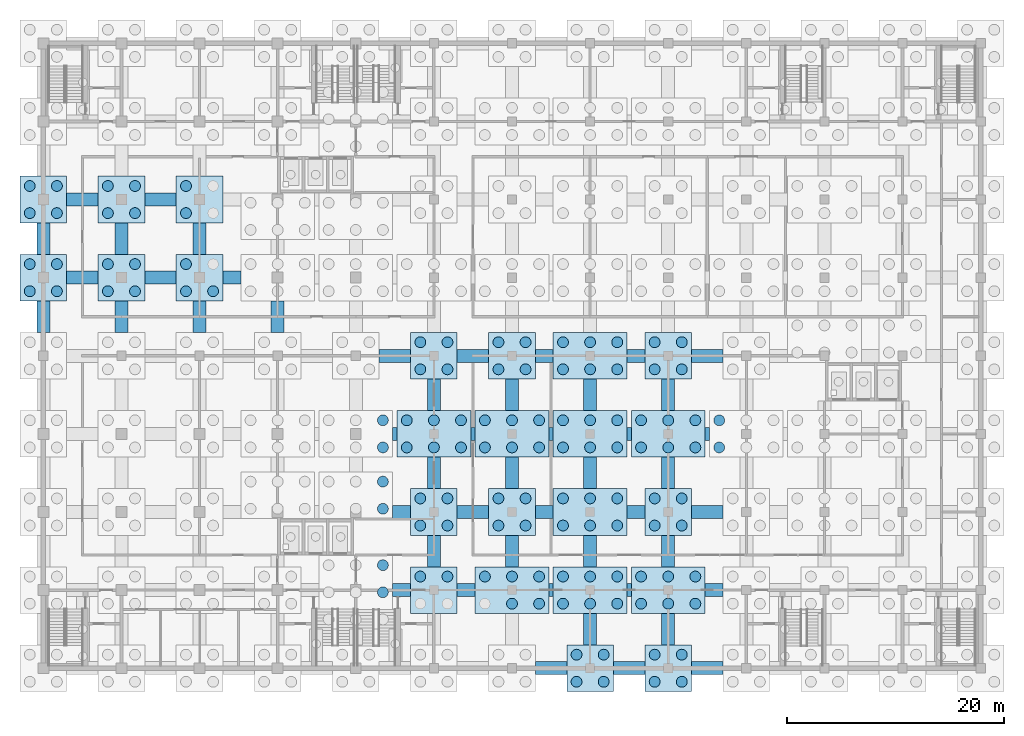
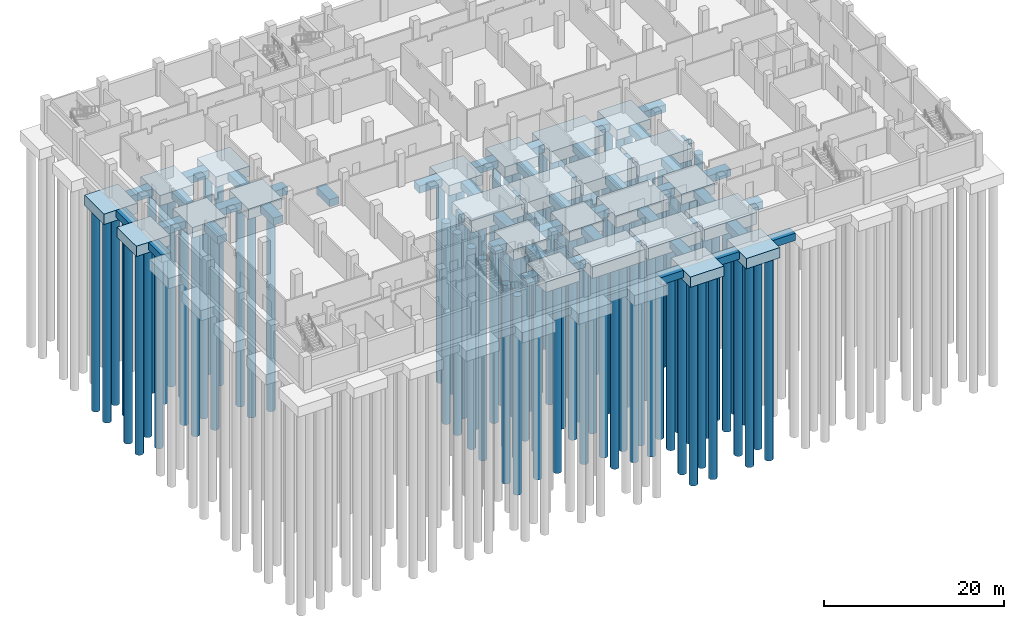
# One storey, part 2 of 19: 116 piles, 73 footings.
"""IFC4 building model written with IfcOpenShell, lengths in metres."""

from ifc_helpers import new_model, si_unit, direction, frame, origin, origin_2d, place, context, subcontext, project, spatial, rectangle, circle, extrude, material, material_profile, profile_set, type_object, element, save


model = new_model("IFC4")

# Units and contexts
model_context = context("Model", 3, precision=1e-05, world=origin(), true_north=direction((0.0, 1.0)))
body_context = subcontext(model_context, "Body", "Model", "MODEL_VIEW")
ifc_project = project(units=[si_unit("LENGTHUNIT", "METRE"), si_unit("AREAUNIT", "SQUARE_METRE"), si_unit("VOLUMEUNIT", "CUBIC_METRE"), si_unit("PLANEANGLEUNIT", "RADIAN"), si_unit("MASSUNIT", "GRAM", prefix="KILO")], contexts=[model_context])

# Site, building, storey
site_placement = place(None, origin())
site = spatial("IfcSite", under=ifc_project, at=site_placement, CompositionType="ELEMENT")
building_placement = place(site_placement, origin())
building = spatial("IfcBuilding", under=site, at=building_placement, Name="Silangan Lancet Faculty of Sciences", CompositionType="ELEMENT")
storey_placement = place(building_placement, frame((0.0, 0.0, -4.5)))
storey = spatial("IfcBuildingStorey", under=building, at=storey_placement, Name="B1", CompositionType="ELEMENT", Elevation=-4.5)

# Piles
ifc_material_1 = material(Name="Concrete C30/37", Category="concrete")
ifc_material_profile = material_profile(ifc_material_1, circle(Radius=0.5, at=origin_2d()), Name="BORED PILE D1000")
ifc_profile_set = profile_set([ifc_material_profile], Name="Concrete C30/37")
pile_type = type_object("IfcPileType", Name="PILE BORED D1000", PredefinedType="BORED", material=ifc_profile_set)
for number, where, z_axis, x_axis, name in (
    (1, (-1.25, 34.75, -2.0), (0.0, 0.0, -1.0), (1.0, 0.0, 0.0), "PILE-1F-1"),
    (2, (1.25, 34.75, -2.0), (0.0, 0.0, -1.0), (1.0, 0.0, 0.0), "PILE-1F-2"),
    (3, (-1.25, 37.25, -2.0), (0.0, 0.0, -1.0), (1.0, 0.0, 0.0), "PILE-1F-3"),
    (4, (1.25, 37.25, -2.0), (0.0, 0.0, -1.0), (1.0, 0.0, 0.0), "PILE-1F-4"),
    (5, (-1.25, 41.949951171875, -2.0), (0.0, 0.0, -1.0), (1.0, 0.0, 0.0), "PILE-1G-1"),
    (6, (1.25, 41.949951171875, -2.0), (0.0, 0.0, -1.0), (1.0, 0.0, 0.0), "PILE-1G-2"),
    (7, (-1.25, 44.449951171875, -2.0), (0.0, 0.0, -1.0), (1.0, 0.0, 0.0), "PILE-1G-3"),
    (8, (1.25, 44.449951171875, -2.0), (0.0, 0.0, -1.0), (1.0, 0.0, 0.0), "PILE-1G-4"),
    (9, (5.949951171875, 34.75, -2.0), (0.0, 0.0, -1.0), (1.0, 0.0, 0.0), "PILE-2F-1"),
    (10, (8.449951171875, 34.75, -2.0), (0.0, 0.0, -1.0), (1.0, 0.0, 0.0), "PILE-2F-2"),
    (11, (5.949951171875, 37.25, -2.0), (0.0, 0.0, -1.0), (1.0, 0.0, 0.0), "PILE-2F-3"),
    (12, (8.449951171875, 37.25, -2.0), (0.0, 0.0, -1.0), (1.0, 0.0, 0.0), "PILE-2F-4"),
    (13, (5.949951171875, 41.949951171875, -2.0), (0.0, 0.0, -1.0), (1.0, 0.0, 0.0), "PILE-2G-1"),
    (14, (8.449951171875, 41.949951171875, -2.0), (0.0, 0.0, -1.0), (1.0, 0.0, 0.0), "PILE-2G-2"),
    (15, (5.949951171875, 44.449951171875, -2.0), (0.0, 0.0, -1.0), (1.0, 0.0, 0.0), "PILE-2G-3"),
    (16, (8.449951171875, 44.449951171875, -2.0), (0.0, 0.0, -1.0), (1.0, 0.0, 0.0), "PILE-2G-4"),
    (17, (13.14990234375, 34.75, -2.0), (0.0, 0.0, -1.0), (1.0, 0.0, 0.0), "PILE-3F-1"),
    (18, (15.64990234375, 34.75, -2.0), (0.0, 0.0, -1.0), (1.0, 0.0, 0.0), "PILE-3F-2"),
    (19, (13.14990234375, 37.25, -2.0), (0.0, 0.0, -1.0), (1.0, 0.0, 0.0), "PILE-3F-3"),
    (20, (13.14990234375, 41.949951171875, -2.0), (0.0, 0.0, -1.0), (1.0, 0.0, 0.0), "PILE-3G-1"),
    (21, (13.14990234375, 44.449951171875, -2.0), (0.0, 0.0, -1.0), (1.0, 0.0, 0.0), "PILE-3G-3"),
):
    element("IfcPile", number, at=place(storey_placement, frame(where, z_axis=z_axis, x_axis=x_axis)), inside=storey, type_object=pile_type, Name=name, PredefinedType="BORED", context=body_context, shape_type="SweptSolid", body=[
        extrude(circle(Radius=0.5, at=origin_2d()), origin(), (0.0, 0.0, 1.0), 27.5),
    ])
for number, where, z_axis, x_axis, name in (
    (22, (31.300048828125, 7.0, -2.5), (0.0, 0.0, -1.0), (1.0, 0.0, 0.0), "PILE-5B-6"),
    (23, (31.300048828125, 9.5, -2.5), (0.0, 0.0, -1.0), (1.0, 0.0, 0.0), "PILE-5B-9"),
):
    element("IfcPile", number, at=place(storey_placement, frame(where, z_axis=z_axis, x_axis=x_axis)), inside=storey, type_object=pile_type, Name=name, PredefinedType="BORED", context=body_context, shape_type="SweptSolid", body=[
        extrude(circle(Radius=0.5, at=origin_2d()), origin(), (0.0, 0.0, 1.0), 27.0),
    ])
for number, where, z_axis, x_axis, name in (
    (24, (31.300048828125, 14.699951171875, -2.199951171875), (0.0, 0.0, -1.0), (1.0, 0.0, 0.0), "PILE-5C-3"),
    (25, (31.300048828125, 17.199951171875, -2.199951171875), (0.0, 0.0, -1.0), (1.0, 0.0, 0.0), "PILE-5C-6"),
    (26, (31.300048828125, 20.35009765625, -2.199951171875), (0.0, 0.0, -1.0), (1.0, 0.0, 0.0), "PILE-5D-3"),
    (27, (31.300048828125, 22.85009765625, -2.199951171875), (0.0, 0.0, -1.0), (1.0, 0.0, 0.0), "PILE-5D-6"),
):
    element("IfcPile", number, at=place(storey_placement, frame(where, z_axis=z_axis, x_axis=x_axis)), inside=storey, type_object=pile_type, Name=name, PredefinedType="BORED", context=body_context, shape_type="SweptSolid", body=[
        extrude(circle(Radius=0.5, at=origin_2d()), origin(), (0.0, 0.0, 1.0), 27.300048828125),
    ])
for number, where, z_axis, x_axis, name in (
    (28, (34.75, 8.449951171875, -2.0), (0.0, 0.0, -1.0), (1.0, 0.0, 0.0), "PILE-6B-3"),
    (29, (37.25, 8.449951171875, -2.0), (0.0, 0.0, -1.0), (1.0, 0.0, 0.0), "PILE-6B-4"),
    (30, (34.75, 13.14990234375, -2.0), (0.0, 0.0, -1.0), (1.0, 0.0, 0.0), "PILE-6C-1"),
    (31, (37.25, 13.14990234375, -2.0), (0.0, 0.0, -1.0), (1.0, 0.0, 0.0), "PILE-6C-2"),
    (32, (34.75, 15.64990234375, -2.0), (0.0, 0.0, -1.0), (1.0, 0.0, 0.0), "PILE-6C-3"),
    (33, (37.25, 15.64990234375, -2.0), (0.0, 0.0, -1.0), (1.0, 0.0, 0.0), "PILE-6C-4"),
):
    element("IfcPile", number, at=place(storey_placement, frame(where, z_axis=z_axis, x_axis=x_axis)), inside=storey, type_object=pile_type, Name=name, PredefinedType="BORED", context=body_context, shape_type="SweptSolid", body=[
        extrude(circle(Radius=0.5, at=origin_2d()), origin(), (0.0, 0.0, 1.0), 27.5),
    ])
for number, where, z_axis, x_axis, name in (
    (34, (33.5, 20.35009765625, -2.199951171875), (0.0, 0.0, -1.0), (1.0, 0.0, 0.0), "PILE-6D-1"),
    (35, (36.0, 20.35009765625, -2.199951171875), (0.0, 0.0, -1.0), (1.0, 0.0, 0.0), "PILE-6D-2"),
    (36, (38.5, 20.35009765625, -2.199951171875), (0.0, 0.0, -1.0), (1.0, 0.0, 0.0), "PILE-6D-3"),
    (37, (33.5, 22.85009765625, -2.199951171875), (0.0, 0.0, -1.0), (1.0, 0.0, 0.0), "PILE-6D-4"),
    (38, (36.0, 22.85009765625, -2.199951171875), (0.0, 0.0, -1.0), (1.0, 0.0, 0.0), "PILE-6D-5"),
    (39, (38.5, 22.85009765625, -2.199951171875), (0.0, 0.0, -1.0), (1.0, 0.0, 0.0), "PILE-6D-6"),
):
    element("IfcPile", number, at=place(storey_placement, frame(where, z_axis=z_axis, x_axis=x_axis)), inside=storey, type_object=pile_type, Name=name, PredefinedType="BORED", context=body_context, shape_type="SweptSolid", body=[
        extrude(circle(Radius=0.5, at=origin_2d()), origin(), (0.0, 0.0, 1.0), 27.300048828125),
    ])
for number, where, z_axis, x_axis, name in (
    (40, (34.75, 27.550048828125, -2.0), (0.0, 0.0, -1.0), (1.0, 0.0, 0.0), "PILE-6E-1"),
    (41, (37.25, 27.550048828125, -2.0), (0.0, 0.0, -1.0), (1.0, 0.0, 0.0), "PILE-6E-2"),
    (42, (34.75, 30.050048828125, -2.0), (0.0, 0.0, -1.0), (1.0, 0.0, 0.0), "PILE-6E-3"),
    (43, (37.25, 30.050048828125, -2.0), (0.0, 0.0, -1.0), (1.0, 0.0, 0.0), "PILE-6E-4"),
):
    element("IfcPile", number, at=place(storey_placement, frame(where, z_axis=z_axis, x_axis=x_axis)), inside=storey, type_object=pile_type, Name=name, PredefinedType="BORED", context=body_context, shape_type="SweptSolid", body=[
        extrude(circle(Radius=0.5, at=origin_2d()), origin(), (0.0, 0.0, 1.0), 27.5),
    ])
for number, where, z_axis, x_axis, name in (
    (44, (43.199951171875, 5.949951171875, -2.199951171875), (0.0, 0.0, -1.0), (1.0, 0.0, 0.0), "PILE-7B-2"),
    (45, (45.699951171875, 5.949951171875, -2.199951171875), (0.0, 0.0, -1.0), (1.0, 0.0, 0.0), "PILE-7B-3"),
    (46, (40.699951171875, 8.449951171875, -2.199951171875), (0.0, 0.0, -1.0), (1.0, 0.0, 0.0), "PILE-7B-4"),
    (47, (43.199951171875, 8.449951171875, -2.199951171875), (0.0, 0.0, -1.0), (1.0, 0.0, 0.0), "PILE-7B-5"),
    (48, (45.699951171875, 8.449951171875, -2.199951171875), (0.0, 0.0, -1.0), (1.0, 0.0, 0.0), "PILE-7B-6"),
):
    element("IfcPile", number, at=place(storey_placement, frame(where, z_axis=z_axis, x_axis=x_axis)), inside=storey, type_object=pile_type, Name=name, PredefinedType="BORED", context=body_context, shape_type="SweptSolid", body=[
        extrude(circle(Radius=0.5, at=origin_2d()), origin(), (0.0, 0.0, 1.0), 27.300048828125),
    ])
for number, where, z_axis, x_axis, name in (
    (49, (41.949951171875, 13.14990234375, -2.0), (0.0, 0.0, -1.0), (1.0, 0.0, 0.0), "PILE-7C-1"),
    (50, (44.449951171875, 13.14990234375, -2.0), (0.0, 0.0, -1.0), (1.0, 0.0, 0.0), "PILE-7C-2"),
    (51, (41.949951171875, 15.64990234375, -2.0), (0.0, 0.0, -1.0), (1.0, 0.0, 0.0), "PILE-7C-3"),
    (52, (44.449951171875, 15.64990234375, -2.0), (0.0, 0.0, -1.0), (1.0, 0.0, 0.0), "PILE-7C-4"),
):
    element("IfcPile", number, at=place(storey_placement, frame(where, z_axis=z_axis, x_axis=x_axis)), inside=storey, type_object=pile_type, Name=name, PredefinedType="BORED", context=body_context, shape_type="SweptSolid", body=[
        extrude(circle(Radius=0.5, at=origin_2d()), origin(), (0.0, 0.0, 1.0), 27.5),
    ])
for number, where, z_axis, x_axis, name in (
    (53, (40.699951171875, 20.35009765625, -2.199951171875), (0.0, 0.0, -1.0), (1.0, 0.0, 0.0), "PILE-7D-1"),
    (54, (43.199951171875, 20.35009765625, -2.199951171875), (0.0, 0.0, -1.0), (1.0, 0.0, 0.0), "PILE-7D-2"),
    (55, (45.699951171875, 20.35009765625, -2.199951171875), (0.0, 0.0, -1.0), (1.0, 0.0, 0.0), "PILE-7D-3"),
    (56, (40.699951171875, 22.85009765625, -2.199951171875), (0.0, 0.0, -1.0), (1.0, 0.0, 0.0), "PILE-7D-4"),
    (57, (43.199951171875, 22.85009765625, -2.199951171875), (0.0, 0.0, -1.0), (1.0, 0.0, 0.0), "PILE-7D-5"),
    (58, (45.699951171875, 22.85009765625, -2.199951171875), (0.0, 0.0, -1.0), (1.0, 0.0, 0.0), "PILE-7D-6"),
):
    element("IfcPile", number, at=place(storey_placement, frame(where, z_axis=z_axis, x_axis=x_axis)), inside=storey, type_object=pile_type, Name=name, PredefinedType="BORED", context=body_context, shape_type="SweptSolid", body=[
        extrude(circle(Radius=0.5, at=origin_2d()), origin(), (0.0, 0.0, 1.0), 27.300048828125),
    ])
for number, where, z_axis, x_axis, name in (
    (59, (41.949951171875, 27.550048828125, -2.0), (0.0, 0.0, -1.0), (1.0, 0.0, 0.0), "PILE-7E-1"),
    (60, (44.449951171875, 27.550048828125, -2.0), (0.0, 0.0, -1.0), (1.0, 0.0, 0.0), "PILE-7E-2"),
    (61, (41.949951171875, 30.050048828125, -2.0), (0.0, 0.0, -1.0), (1.0, 0.0, 0.0), "PILE-7E-3"),
    (62, (44.449951171875, 30.050048828125, -2.0), (0.0, 0.0, -1.0), (1.0, 0.0, 0.0), "PILE-7E-4"),
    (63, (49.14990234375, -1.25, -2.0), (0.0, 0.0, -1.0), (1.0, 0.0, 0.0), "PILE-8A-1"),
    (64, (51.64990234375, -1.25, -2.0), (0.0, 0.0, -1.0), (1.0, 0.0, 0.0), "PILE-8A-2"),
    (65, (49.14990234375, 1.25, -2.0), (0.0, 0.0, -1.0), (1.0, 0.0, 0.0), "PILE-8A-3"),
    (66, (51.64990234375, 1.25, -2.0), (0.0, 0.0, -1.0), (1.0, 0.0, 0.0), "PILE-8A-4"),
):
    element("IfcPile", number, at=place(storey_placement, frame(where, z_axis=z_axis, x_axis=x_axis)), inside=storey, type_object=pile_type, Name=name, PredefinedType="BORED", context=body_context, shape_type="SweptSolid", body=[
        extrude(circle(Radius=0.5, at=origin_2d()), origin(), (0.0, 0.0, 1.0), 27.5),
    ])
for number, where, z_axis, x_axis, name in (
    (67, (47.89990234375, 5.949951171875, -2.199951171875), (0.0, 0.0, -1.0), (1.0, 0.0, 0.0), "PILE-8B-1"),
    (68, (50.39990234375, 5.949951171875, -2.199951171875), (0.0, 0.0, -1.0), (1.0, 0.0, 0.0), "PILE-8B-2"),
    (69, (52.89990234375, 5.949951171875, -2.199951171875), (0.0, 0.0, -1.0), (1.0, 0.0, 0.0), "PILE-8B-3"),
    (70, (47.89990234375, 8.449951171875, -2.199951171875), (0.0, 0.0, -1.0), (1.0, 0.0, 0.0), "PILE-8B-4"),
    (71, (50.39990234375, 8.449951171875, -2.199951171875), (0.0, 0.0, -1.0), (1.0, 0.0, 0.0), "PILE-8B-5"),
    (72, (52.89990234375, 8.449951171875, -2.199951171875), (0.0, 0.0, -1.0), (1.0, 0.0, 0.0), "PILE-8B-6"),
    (73, (47.89990234375, 13.14990234375, -2.199951171875), (0.0, 0.0, -1.0), (1.0, 0.0, 0.0), "PILE-8C-1"),
    (74, (50.39990234375, 13.14990234375, -2.199951171875), (0.0, 0.0, -1.0), (1.0, 0.0, 0.0), "PILE-8C-2"),
    (75, (52.89990234375, 13.14990234375, -2.199951171875), (0.0, 0.0, -1.0), (1.0, 0.0, 0.0), "PILE-8C-3"),
    (76, (47.89990234375, 15.64990234375, -2.199951171875), (0.0, 0.0, -1.0), (1.0, 0.0, 0.0), "PILE-8C-4"),
    (77, (50.39990234375, 15.64990234375, -2.199951171875), (0.0, 0.0, -1.0), (1.0, 0.0, 0.0), "PILE-8C-5"),
    (78, (52.89990234375, 15.64990234375, -2.199951171875), (0.0, 0.0, -1.0), (1.0, 0.0, 0.0), "PILE-8C-6"),
    (79, (47.89990234375, 20.35009765625, -2.199951171875), (0.0, 0.0, -1.0), (1.0, 0.0, 0.0), "PILE-8D-1"),
    (80, (50.39990234375, 20.35009765625, -2.199951171875), (0.0, 0.0, -1.0), (1.0, 0.0, 0.0), "PILE-8D-2"),
    (81, (52.89990234375, 20.35009765625, -2.199951171875), (0.0, 0.0, -1.0), (1.0, 0.0, 0.0), "PILE-8D-3"),
    (82, (47.89990234375, 22.85009765625, -2.199951171875), (0.0, 0.0, -1.0), (1.0, 0.0, 0.0), "PILE-8D-4"),
    (83, (50.39990234375, 22.85009765625, -2.199951171875), (0.0, 0.0, -1.0), (1.0, 0.0, 0.0), "PILE-8D-5"),
    (84, (52.89990234375, 22.85009765625, -2.199951171875), (0.0, 0.0, -1.0), (1.0, 0.0, 0.0), "PILE-8D-6"),
    (85, (47.89990234375, 27.550048828125, -2.199951171875), (0.0, 0.0, -1.0), (1.0, 0.0, 0.0), "PILE-8E-1"),
    (86, (50.39990234375, 27.550048828125, -2.199951171875), (0.0, 0.0, -1.0), (1.0, 0.0, 0.0), "PILE-8E-2"),
    (87, (52.89990234375, 27.550048828125, -2.199951171875), (0.0, 0.0, -1.0), (1.0, 0.0, 0.0), "PILE-8E-3"),
    (88, (47.89990234375, 30.050048828125, -2.199951171875), (0.0, 0.0, -1.0), (1.0, 0.0, 0.0), "PILE-8E-4"),
    (89, (50.39990234375, 30.050048828125, -2.199951171875), (0.0, 0.0, -1.0), (1.0, 0.0, 0.0), "PILE-8E-5"),
    (90, (52.89990234375, 30.050048828125, -2.199951171875), (0.0, 0.0, -1.0), (1.0, 0.0, 0.0), "PILE-8E-6"),
):
    element("IfcPile", number, at=place(storey_placement, frame(where, z_axis=z_axis, x_axis=x_axis)), inside=storey, type_object=pile_type, Name=name, PredefinedType="BORED", context=body_context, shape_type="SweptSolid", body=[
        extrude(circle(Radius=0.5, at=origin_2d()), origin(), (0.0, 0.0, 1.0), 27.300048828125),
    ])
for number, where, z_axis, x_axis, name in (
    (91, (56.35009765625, -1.25, -2.0), (0.0, 0.0, -1.0), (1.0, 0.0, 0.0), "PILE-9A-1"),
    (92, (58.85009765625, -1.25, -2.0), (0.0, 0.0, -1.0), (1.0, 0.0, 0.0), "PILE-9A-2"),
    (93, (56.35009765625, 1.25, -2.0), (0.0, 0.0, -1.0), (1.0, 0.0, 0.0), "PILE-9A-3"),
    (94, (58.85009765625, 1.25, -2.0), (0.0, 0.0, -1.0), (1.0, 0.0, 0.0), "PILE-9A-4"),
):
    element("IfcPile", number, at=place(storey_placement, frame(where, z_axis=z_axis, x_axis=x_axis)), inside=storey, type_object=pile_type, Name=name, PredefinedType="BORED", context=body_context, shape_type="SweptSolid", body=[
        extrude(circle(Radius=0.5, at=origin_2d()), origin(), (0.0, 0.0, 1.0), 27.5),
    ])
for number, where, z_axis, x_axis, name in (
    (95, (55.10009765625, 5.949951171875, -2.199951171875), (0.0, 0.0, -1.0), (1.0, 0.0, 0.0), "PILE-9B-1"),
    (96, (57.60009765625, 5.949951171875, -2.199951171875), (0.0, 0.0, -1.0), (1.0, 0.0, 0.0), "PILE-9B-2"),
    (97, (60.10009765625, 5.949951171875, -2.199951171875), (0.0, 0.0, -1.0), (1.0, 0.0, 0.0), "PILE-9B-3"),
    (98, (55.10009765625, 8.449951171875, -2.199951171875), (0.0, 0.0, -1.0), (1.0, 0.0, 0.0), "PILE-9B-4"),
    (99, (57.60009765625, 8.449951171875, -2.199951171875), (0.0, 0.0, -1.0), (1.0, 0.0, 0.0), "PILE-9B-5"),
    (100, (60.10009765625, 8.449951171875, -2.199951171875), (0.0, 0.0, -1.0), (1.0, 0.0, 0.0), "PILE-9B-6"),
):
    element("IfcPile", number, at=place(storey_placement, frame(where, z_axis=z_axis, x_axis=x_axis)), inside=storey, type_object=pile_type, Name=name, PredefinedType="BORED", context=body_context, shape_type="SweptSolid", body=[
        extrude(circle(Radius=0.5, at=origin_2d()), origin(), (0.0, 0.0, 1.0), 27.300048828125),
    ])
for number, where, z_axis, x_axis, name in (
    (101, (56.35009765625, 13.14990234375, -2.0), (0.0, 0.0, -1.0), (1.0, 0.0, 0.0), "PILE-9C-1"),
    (102, (58.85009765625, 13.14990234375, -2.0), (0.0, 0.0, -1.0), (1.0, 0.0, 0.0), "PILE-9C-2"),
    (103, (56.35009765625, 15.64990234375, -2.0), (0.0, 0.0, -1.0), (1.0, 0.0, 0.0), "PILE-9C-3"),
    (104, (58.85009765625, 15.64990234375, -2.0), (0.0, 0.0, -1.0), (1.0, 0.0, 0.0), "PILE-9C-4"),
):
    element("IfcPile", number, at=place(storey_placement, frame(where, z_axis=z_axis, x_axis=x_axis)), inside=storey, type_object=pile_type, Name=name, PredefinedType="BORED", context=body_context, shape_type="SweptSolid", body=[
        extrude(circle(Radius=0.5, at=origin_2d()), origin(), (0.0, 0.0, 1.0), 27.5),
    ])
for number, where, z_axis, x_axis, name in (
    (105, (55.10009765625, 20.35009765625, -2.199951171875), (0.0, 0.0, -1.0), (1.0, 0.0, 0.0), "PILE-9D-1"),
    (106, (57.60009765625, 20.35009765625, -2.199951171875), (0.0, 0.0, -1.0), (1.0, 0.0, 0.0), "PILE-9D-2"),
    (107, (60.10009765625, 20.35009765625, -2.199951171875), (0.0, 0.0, -1.0), (1.0, 0.0, 0.0), "PILE-9D-3"),
    (108, (55.10009765625, 22.85009765625, -2.199951171875), (0.0, 0.0, -1.0), (1.0, 0.0, 0.0), "PILE-9D-4"),
    (109, (57.60009765625, 22.85009765625, -2.199951171875), (0.0, 0.0, -1.0), (1.0, 0.0, 0.0), "PILE-9D-5"),
    (110, (60.10009765625, 22.85009765625, -2.199951171875), (0.0, 0.0, -1.0), (1.0, 0.0, 0.0), "PILE-9D-6"),
):
    element("IfcPile", number, at=place(storey_placement, frame(where, z_axis=z_axis, x_axis=x_axis)), inside=storey, type_object=pile_type, Name=name, PredefinedType="BORED", context=body_context, shape_type="SweptSolid", body=[
        extrude(circle(Radius=0.5, at=origin_2d()), origin(), (0.0, 0.0, 1.0), 27.300048828125),
    ])
for number, where, z_axis, x_axis, name in (
    (111, (56.35009765625, 27.550048828125, -2.0), (0.0, 0.0, -1.0), (1.0, 0.0, 0.0), "PILE-9E-1"),
    (112, (58.85009765625, 27.550048828125, -2.0), (0.0, 0.0, -1.0), (1.0, 0.0, 0.0), "PILE-9E-2"),
    (113, (56.35009765625, 30.050048828125, -2.0), (0.0, 0.0, -1.0), (1.0, 0.0, 0.0), "PILE-9E-3"),
    (114, (58.85009765625, 30.050048828125, -2.0), (0.0, 0.0, -1.0), (1.0, 0.0, 0.0), "PILE-9E-4"),
):
    element("IfcPile", number, at=place(storey_placement, frame(where, z_axis=z_axis, x_axis=x_axis)), inside=storey, type_object=pile_type, Name=name, PredefinedType="BORED", context=body_context, shape_type="SweptSolid", body=[
        extrude(circle(Radius=0.5, at=origin_2d()), origin(), (0.0, 0.0, 1.0), 27.5),
    ])
for number, where, z_axis, x_axis, name in (
    (115, (62.300048828125, 20.35009765625, -2.199951171875), (0.0, 0.0, -1.0), (1.0, 0.0, 0.0), "PILE-10D-1"),
    (116, (62.300048828125, 22.85009765625, -2.199951171875), (0.0, 0.0, -1.0), (1.0, 0.0, 0.0), "PILE-10D-4"),
):
    element("IfcPile", number, at=place(storey_placement, frame(where, z_axis=z_axis, x_axis=x_axis)), inside=storey, type_object=pile_type, Name=name, PredefinedType="BORED", context=body_context, shape_type="SweptSolid", body=[
        extrude(circle(Radius=0.5, at=origin_2d()), origin(), (0.0, 0.0, 1.0), 27.300048828125),
    ])

# Footings
ifc_material_2 = material(Name="Concrete C30/37", Category="concrete")
footing_type_1 = type_object("IfcFootingType", Name="PILE CAP 4 PILES 4300x4300x1400", PredefinedType="PILE_CAP", material=ifc_material_2)
for number, where, z_axis, x_axis, name in (
    (117, (0.0, 36.0, -2.0), (0.0, 0.0, 1.0), (1.0, 0.0, 0.0), "CAP-1F"),
    (118, (0.0, 43.199951171875, -2.0), (0.0, 0.0, 1.0), (1.0, 0.0, 0.0), "CAP-1G"),
    (119, (7.199951171875, 36.0, -2.0), (0.0, 0.0, 1.0), (1.0, 0.0, 0.0), "CAP-2F"),
    (120, (7.199951171875, 43.199951171875, -2.0), (0.0, 0.0, 1.0), (1.0, 0.0, 0.0), "CAP-2G"),
    (121, (14.39990234375, 36.0, -2.0), (0.0, 0.0, 1.0), (1.0, 0.0, 0.0), "CAP-3F"),
    (122, (14.39990234375, 43.199951171875, -2.0), (0.0, 0.0, 1.0), (1.0, 0.0, 0.0), "CAP-3G"),
    (123, (36.0, 7.199951171875, -2.0), (0.0, 0.0, 1.0), (1.0, 0.0, 0.0), "CAP-6B"),
    (124, (36.0, 14.39990234375, -2.0), (0.0, 0.0, 1.0), (1.0, 0.0, 0.0), "CAP-6C"),
    (125, (36.0, 28.800048828125, -2.0), (0.0, 0.0, 1.0), (1.0, 0.0, 0.0), "CAP-6E"),
    (126, (43.199951171875, 14.39990234375, -2.0), (0.0, 0.0, 1.0), (1.0, 0.0, 0.0), "CAP-7C"),
    (127, (43.199951171875, 28.800048828125, -2.0), (0.0, 0.0, 1.0), (1.0, 0.0, 0.0), "CAP-7E"),
    (128, (50.39990234375, 0.0, -2.0), (0.0, 0.0, 1.0), (1.0, 0.0, 0.0), "CAP-8A"),
    (129, (57.60009765625, 0.0, -2.0), (0.0, 0.0, 1.0), (1.0, 0.0, 0.0), "CAP-9A"),
    (130, (57.60009765625, 14.39990234375, -2.0), (0.0, 0.0, 1.0), (1.0, 0.0, 0.0), "CAP-9C"),
    (131, (57.60009765625, 28.800048828125, -2.0), (0.0, 0.0, 1.0), (1.0, 0.0, 0.0), "CAP-9E"),
):
    element("IfcFooting", number, at=place(storey_placement, frame(where, z_axis=z_axis, x_axis=x_axis)), inside=storey, type_object=footing_type_1, Name=name, PredefinedType="PILE_CAP", context=body_context, shape_type="SweptSolid", body=[
        extrude(rectangle(XDim=4.300048828125, YDim=4.300048828125, at=origin_2d()), origin(), (0.0, 0.0, 1.0), 1.39990234375),
    ])
ifc_material_3 = material(Name="Concrete C30/37", Category="concrete")
footing_type_2 = type_object("IfcFootingType", Name="PILE CAP 6 PILES 6800x4300x1600", PredefinedType="PILE_CAP", material=ifc_material_3)
for number, where, z_axis, x_axis, name in (
    (132, (36.0, 21.60009765625, -2.199951171875), (0.0, 0.0, 1.0), (1.0, 0.0, 0.0), "CAP-6D"),
    (133, (43.199951171875, 7.199951171875, -2.199951171875), (0.0, 0.0, 1.0), (1.0, 0.0, 0.0), "CAP-7B"),
    (134, (43.199951171875, 21.60009765625, -2.199951171875), (0.0, 0.0, 1.0), (1.0, 0.0, 0.0), "CAP-7D"),
    (135, (50.39990234375, 7.199951171875, -2.199951171875), (0.0, 0.0, 1.0), (1.0, 0.0, 0.0), "CAP-8B"),
    (136, (50.39990234375, 14.39990234375, -2.199951171875), (0.0, 0.0, 1.0), (1.0, 0.0, 0.0), "CAP-8C"),
    (137, (50.39990234375, 21.60009765625, -2.199951171875), (0.0, 0.0, 1.0), (1.0, 0.0, 0.0), "CAP-8D"),
    (138, (50.39990234375, 28.800048828125, -2.199951171875), (0.0, 0.0, 1.0), (1.0, 0.0, 0.0), "CAP-8E"),
    (139, (57.60009765625, 7.199951171875, -2.199951171875), (0.0, 0.0, 1.0), (1.0, 0.0, 0.0), "CAP-9B"),
    (140, (57.60009765625, 21.60009765625, -2.199951171875), (0.0, 0.0, 1.0), (1.0, 0.0, 0.0), "CAP-9D"),
):
    element("IfcFooting", number, at=place(storey_placement, frame(where, z_axis=z_axis, x_axis=x_axis)), inside=storey, type_object=footing_type_2, Name=name, PredefinedType="PILE_CAP", context=body_context, shape_type="SweptSolid", body=[
        extrude(rectangle(XDim=6.800048828125, YDim=4.300048828125, at=origin_2d()), origin(), (0.0, 0.0, 1.0), 1.60009765625),
    ])
ifc_material_4 = material(Name="Concrete C30/37", Category="concrete")
footing_type_3 = type_object("IfcFootingType", Name="PILE CAP BEAM 1200x1000", PredefinedType="FOOTING_BEAM", material=ifc_material_4)
for number, where, z_axis, x_axis, name in (
    (141, (46.800048828125, 0.0, -1.60009765625), (0.0, 0.0, 1.0), (1.0, 0.0, 0.0), "FB-7A-8A"),
    (142, (54.0, 0.0, -1.60009765625), (0.0, 0.0, 1.0), (1.0, 0.0, 0.0), "FB-8A-9A"),
    (143, (61.199951171875, 0.0, -1.60009765625), (0.0, 0.0, 1.0), (1.0, 0.0, 0.0), "FB-9A-10A"),
    (144, (0.0, 32.39990234375, -1.60009765625), (0.0, 0.0, 1.0), (0.0, 1.0, 0.0), "FB-1E-1F"),
    (145, (0.0, 39.60009765625, -1.60009765625), (0.0, 0.0, 1.0), (0.0, 1.0, 0.0), "FB-1F-1G"),
    (146, (7.199951171875, 32.39990234375, -1.60009765625), (0.0, 0.0, 1.0), (0.0, 1.0, 0.0), "FB-2E-2F"),
    (147, (7.199951171875, 39.60009765625, -1.60009765625), (0.0, 0.0, 1.0), (0.0, 1.0, 0.0), "FB-2F-2G"),
    (148, (14.39990234375, 32.39990234375, -1.60009765625), (0.0, 0.0, 1.0), (0.0, 1.0, 0.0), "FB-3E-3F"),
    (149, (14.39990234375, 39.60009765625, -1.60009765625), (0.0, 0.0, 1.0), (0.0, 1.0, 0.0), "FB-3F-3G"),
    (150, (21.60009765625, 32.39990234375, -1.60009765625), (0.0, 0.0, 1.0), (0.0, 1.0, 0.0), "FB-4E-4F"),
    (151, (36.0, 10.800048828125, -1.60009765625), (0.0, 0.0, 1.0), (0.0, 1.0, 0.0), "FB-6B-6C"),
    (152, (36.0, 18.0, -1.60009765625), (0.0, 0.0, 1.0), (0.0, 1.0, 0.0), "FB-6C-6D"),
    (153, (36.0, 25.199951171875, -1.60009765625), (0.0, 0.0, 1.0), (0.0, 1.0, 0.0), "FB-6D-6E"),
    (154, (43.199951171875, 10.800048828125, -1.60009765625), (0.0, 0.0, 1.0), (0.0, 1.0, 0.0), "FB-7B-7C"),
    (155, (43.199951171875, 18.0, -1.60009765625), (0.0, 0.0, 1.0), (0.0, 1.0, 0.0), "FB-7C-7D"),
    (156, (43.199951171875, 25.199951171875, -1.60009765625), (0.0, 0.0, 1.0), (0.0, 1.0, 0.0), "FB-7D-7E"),
    (157, (50.39990234375, 3.60009765625, -1.60009765625), (0.0, 0.0, 1.0), (0.0, 1.0, 0.0), "FB-8A-8B"),
    (158, (50.39990234375, 10.800048828125, -1.60009765625), (0.0, 0.0, 1.0), (0.0, 1.0, 0.0), "FB-8B-8C"),
    (159, (50.39990234375, 18.0, -1.60009765625), (0.0, 0.0, 1.0), (0.0, 1.0, 0.0), "FB-8C-8D"),
    (160, (50.39990234375, 25.199951171875, -1.60009765625), (0.0, 0.0, 1.0), (0.0, 1.0, 0.0), "FB-8D-8E"),
    (161, (57.60009765625, 3.60009765625, -1.60009765625), (0.0, 0.0, 1.0), (0.0, 1.0, 0.0), "FB-9A-9B"),
    (162, (57.60009765625, 10.800048828125, -1.60009765625), (0.0, 0.0, 1.0), (0.0, 1.0, 0.0), "FB-9B-9C"),
    (163, (57.60009765625, 18.0, -1.60009765625), (0.0, 0.0, 1.0), (0.0, 1.0, 0.0), "FB-9C-9D"),
    (164, (57.60009765625, 25.199951171875, -1.60009765625), (0.0, 0.0, 1.0), (0.0, 1.0, 0.0), "FB-9D-9E"),
):
    element("IfcFooting", number, at=place(storey_placement, frame(where, z_axis=z_axis, x_axis=x_axis)), inside=storey, type_object=footing_type_3, Name=name, PredefinedType="FOOTING_BEAM", context=body_context, shape_type="SweptSolid", body=[
        extrude(rectangle(XDim=2.89990234375, YDim=1.199951171875, at=origin_2d()), origin(), (0.0, 0.0, 1.0), 1.0),
    ])
for number, where, z_axis, x_axis, name in (
    (165, (33.02490234375, 7.199951171875, -1.60009765625), (0.0, 0.0, 1.0), (1.0, 0.0, 0.0), "FB-5B-6B"),
    (166, (38.97509765625, 7.199951171875, -1.60009765625), (0.0, 0.0, 1.0), (1.0, 0.0, 0.0), "FB-6B-7B"),
):
    element("IfcFooting", number, at=place(storey_placement, frame(where, z_axis=z_axis, x_axis=x_axis)), inside=storey, type_object=footing_type_3, Name=name, PredefinedType="FOOTING_BEAM", context=body_context, shape_type="SweptSolid", body=[
        extrude(rectangle(XDim=1.64990234375, YDim=1.199951171875, at=origin_2d()), origin(), (0.0, 0.0, 1.0), 1.0),
    ])
for number, where, z_axis, x_axis, name in (
    (167, (46.800048828125, 7.199951171875, -1.60009765625), (0.0, 0.0, 1.0), (1.0, 0.0, 0.0), "FB-7B-8B"),
    (168, (54.0, 7.199951171875, -1.60009765625), (0.0, 0.0, 1.0), (1.0, 0.0, 0.0), "FB-8B-9B"),
):
    element("IfcFooting", number, at=place(storey_placement, frame(where, z_axis=z_axis, x_axis=x_axis)), inside=storey, type_object=footing_type_3, Name=name, PredefinedType="FOOTING_BEAM", context=body_context, shape_type="SweptSolid", body=[
        extrude(rectangle(XDim=0.39990234375, YDim=1.199951171875, at=origin_2d()), origin(), (0.0, 0.0, 1.0), 1.0),
    ])
for number, where, z_axis, x_axis, name in (
    (169, (61.824951171875, 7.199951171875, -1.60009765625), (0.0, 0.0, 1.0), (1.0, 0.0, 0.0), "FB-9B-10B"),
    (170, (33.02490234375, 14.39990234375, -1.60009765625), (0.0, 0.0, 1.0), (1.0, 0.0, 0.0), "FB-5C-6C"),
):
    element("IfcFooting", number, at=place(storey_placement, frame(where, z_axis=z_axis, x_axis=x_axis)), inside=storey, type_object=footing_type_3, Name=name, PredefinedType="FOOTING_BEAM", context=body_context, shape_type="SweptSolid", body=[
        extrude(rectangle(XDim=1.64990234375, YDim=1.199951171875, at=origin_2d()), origin(), (0.0, 0.0, 1.0), 1.0),
    ])
footing_1_placement = place(storey_placement, frame((39.60009765625, 14.39990234375, -1.60009765625), z_axis=(0.0, 0.0, 1.0), x_axis=(1.0, 0.0, 0.0)))
element("IfcFooting", 171, at=footing_1_placement, inside=storey, type_object=footing_type_3, Name="FB-6C-7C", PredefinedType="FOOTING_BEAM", context=body_context, shape_type="SweptSolid", body=[
    extrude(rectangle(XDim=2.89990234375, YDim=1.199951171875, at=origin_2d()), origin(), (0.0, 0.0, 1.0), 1.0),
])
for number, where, z_axis, x_axis, name in (
    (172, (46.175048828125, 14.39990234375, -1.60009765625), (0.0, 0.0, 1.0), (1.0, 0.0, 0.0), "FB-7C-8C"),
    (173, (54.625, 14.39990234375, -1.60009765625), (0.0, 0.0, 1.0), (1.0, 0.0, 0.0), "FB-8C-9C"),
):
    element("IfcFooting", number, at=place(storey_placement, frame(where, z_axis=z_axis, x_axis=x_axis)), inside=storey, type_object=footing_type_3, Name=name, PredefinedType="FOOTING_BEAM", context=body_context, shape_type="SweptSolid", body=[
        extrude(rectangle(XDim=1.64990234375, YDim=1.199951171875, at=origin_2d()), origin(), (0.0, 0.0, 1.0), 1.0),
    ])
footing_2_placement = place(storey_placement, frame((61.199951171875, 14.39990234375, -1.60009765625), z_axis=(0.0, 0.0, 1.0), x_axis=(1.0, 0.0, 0.0)))
element("IfcFooting", 174, at=footing_2_placement, inside=storey, type_object=footing_type_3, Name="FB-9C-10C", PredefinedType="FOOTING_BEAM", context=body_context, shape_type="SweptSolid", body=[
    extrude(rectangle(XDim=2.89990234375, YDim=1.199951171875, at=origin_2d()), origin(), (0.0, 0.0, 1.0), 1.0),
])
for number, where, z_axis, x_axis, name in (
    (175, (32.39990234375, 21.60009765625, -1.60009765625), (0.0, 0.0, 1.0), (1.0, 0.0, 0.0), "FB-5D-6D"),
    (176, (39.60009765625, 21.60009765625, -1.60009765625), (0.0, 0.0, 1.0), (1.0, 0.0, 0.0), "FB-6D-7D"),
    (177, (46.800048828125, 21.60009765625, -1.60009765625), (0.0, 0.0, 1.0), (1.0, 0.0, 0.0), "FB-7D-8D"),
    (178, (54.0, 21.60009765625, -1.60009765625), (0.0, 0.0, 1.0), (1.0, 0.0, 0.0), "FB-8D-9D"),
    (179, (61.199951171875, 21.60009765625, -1.60009765625), (0.0, 0.0, 1.0), (1.0, 0.0, 0.0), "FB-9D-10D"),
):
    element("IfcFooting", number, at=place(storey_placement, frame(where, z_axis=z_axis, x_axis=x_axis)), inside=storey, type_object=footing_type_3, Name=name, PredefinedType="FOOTING_BEAM", context=body_context, shape_type="SweptSolid", body=[
        extrude(rectangle(XDim=0.39990234375, YDim=1.199951171875, at=origin_2d()), origin(), (0.0, 0.0, 1.0), 1.0),
    ])
for number, where, z_axis, x_axis, name in (
    (180, (32.39990234375, 28.800048828125, -1.60009765625), (0.0, 0.0, 1.0), (1.0, 0.0, 0.0), "FB-5E-6E"),
    (181, (39.60009765625, 28.800048828125, -1.60009765625), (0.0, 0.0, 1.0), (1.0, 0.0, 0.0), "FB-6E-7E"),
):
    element("IfcFooting", number, at=place(storey_placement, frame(where, z_axis=z_axis, x_axis=x_axis)), inside=storey, type_object=footing_type_3, Name=name, PredefinedType="FOOTING_BEAM", context=body_context, shape_type="SweptSolid", body=[
        extrude(rectangle(XDim=2.89990234375, YDim=1.199951171875, at=origin_2d()), origin(), (0.0, 0.0, 1.0), 1.0),
    ])
for number, where, z_axis, x_axis, name in (
    (182, (46.175048828125, 28.800048828125, -1.60009765625), (0.0, 0.0, 1.0), (1.0, 0.0, 0.0), "FB-7E-8E"),
    (183, (54.625, 28.800048828125, -1.60009765625), (0.0, 0.0, 1.0), (1.0, 0.0, 0.0), "FB-8E-9E"),
):
    element("IfcFooting", number, at=place(storey_placement, frame(where, z_axis=z_axis, x_axis=x_axis)), inside=storey, type_object=footing_type_3, Name=name, PredefinedType="FOOTING_BEAM", context=body_context, shape_type="SweptSolid", body=[
        extrude(rectangle(XDim=1.64990234375, YDim=1.199951171875, at=origin_2d()), origin(), (0.0, 0.0, 1.0), 1.0),
    ])
for number, where, z_axis, x_axis, name in (
    (184, (61.199951171875, 28.800048828125, -1.60009765625), (0.0, 0.0, 1.0), (1.0, 0.0, 0.0), "FB-9E-10E"),
    (185, (3.60009765625, 36.0, -1.60009765625), (0.0, 0.0, 1.0), (1.0, 0.0, 0.0), "FB-1F-2F"),
    (186, (10.800048828125, 36.0, -1.60009765625), (0.0, 0.0, 1.0), (1.0, 0.0, 0.0), "FB-2F-3F"),
):
    element("IfcFooting", number, at=place(storey_placement, frame(where, z_axis=z_axis, x_axis=x_axis)), inside=storey, type_object=footing_type_3, Name=name, PredefinedType="FOOTING_BEAM", context=body_context, shape_type="SweptSolid", body=[
        extrude(rectangle(XDim=2.89990234375, YDim=1.199951171875, at=origin_2d()), origin(), (0.0, 0.0, 1.0), 1.0),
    ])
footing_3_placement = place(storey_placement, frame((17.375, 36.0, -1.60009765625), z_axis=(0.0, 0.0, 1.0), x_axis=(1.0, 0.0, 0.0)))
element("IfcFooting", 187, at=footing_3_placement, inside=storey, type_object=footing_type_3, Name="FB-3F-4F", PredefinedType="FOOTING_BEAM", context=body_context, shape_type="SweptSolid", body=[
    extrude(rectangle(XDim=1.64990234375, YDim=1.199951171875, at=origin_2d()), origin(), (0.0, 0.0, 1.0), 1.0),
])
for number, where, z_axis, x_axis, name in (
    (188, (3.60009765625, 43.199951171875, -1.60009765625), (0.0, 0.0, 1.0), (1.0, 0.0, 0.0), "FB-1G-2G"),
    (189, (10.800048828125, 43.199951171875, -1.60009765625), (0.0, 0.0, 1.0), (1.0, 0.0, 0.0), "FB-2G-3G"),
):
    element("IfcFooting", number, at=place(storey_placement, frame(where, z_axis=z_axis, x_axis=x_axis)), inside=storey, type_object=footing_type_3, Name=name, PredefinedType="FOOTING_BEAM", context=body_context, shape_type="SweptSolid", body=[
        extrude(rectangle(XDim=2.89990234375, YDim=1.199951171875, at=origin_2d()), origin(), (0.0, 0.0, 1.0), 1.0),
    ])

save(model, "model.ifc")
